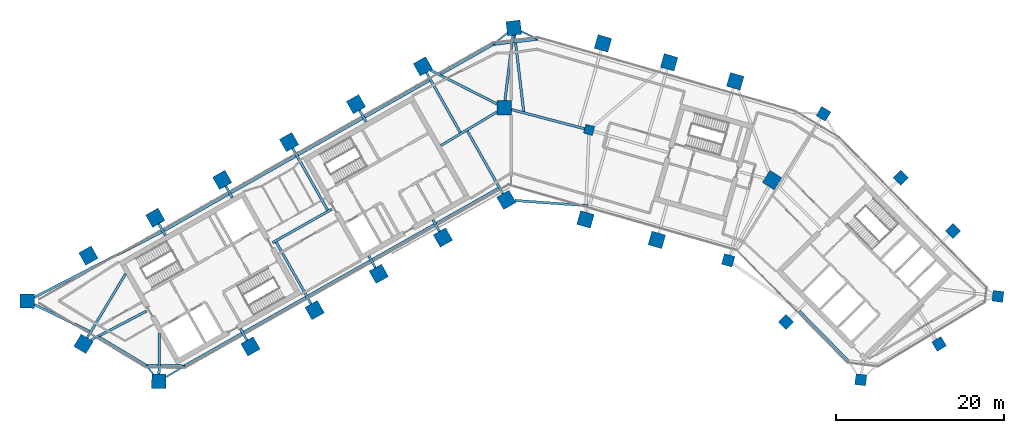
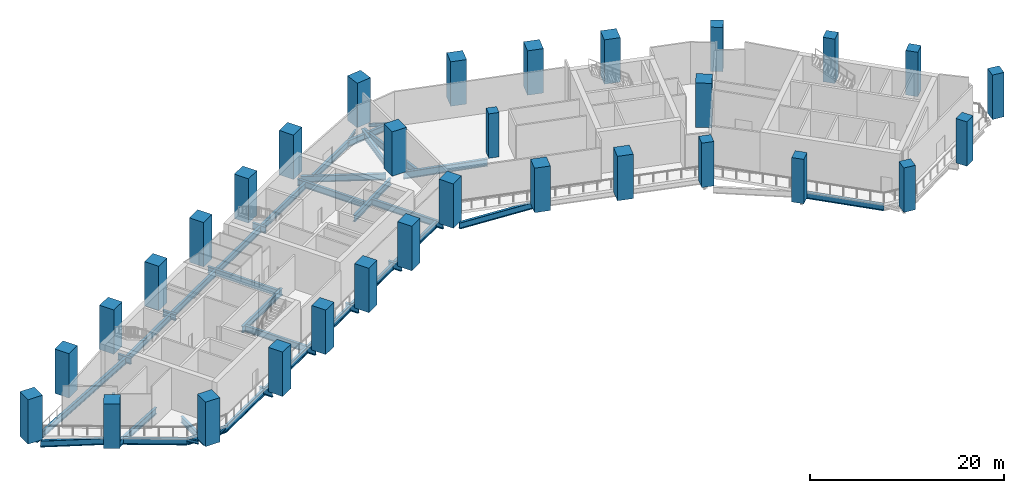
# One storey, part 1 of 11: 42 beams, 31 columns.
"""IFC4 building model written with IfcOpenShell, lengths in metres."""

from ifc_helpers import new_model, si_unit, direction, frame, origin, origin_2d, place, context, subcontext, project, spatial, rectangle, i_section, extrude, material, material_profile, profile_set, type_object, element, save


model = new_model("IFC4")

# Units and contexts
model_context = context("Model", 3, precision=1e-05, world=origin(), true_north=direction((0.0, 1.0)))
body_context = subcontext(model_context, "Body", "Model", "MODEL_VIEW")
ifc_project = project(units=[si_unit("LENGTHUNIT", "METRE"), si_unit("AREAUNIT", "SQUARE_METRE"), si_unit("VOLUMEUNIT", "CUBIC_METRE"), si_unit("PLANEANGLEUNIT", "RADIAN"), si_unit("MASSUNIT", "GRAM", prefix="KILO")], contexts=[model_context])

# Site, building, storey
site_placement = place(None, origin())
site = spatial("IfcSite", under=ifc_project, at=site_placement, CompositionType="ELEMENT")
building_placement = place(site_placement, origin())
building = spatial("IfcBuilding", under=site, at=building_placement, Name="Binnacle Exchange Tower", CompositionType="ELEMENT")
storey_placement = place(building_placement, frame((0.0, 0.0, 91.5)))
storey = spatial("IfcBuildingStorey", under=building, at=storey_placement, Name="L18", CompositionType="ELEMENT", Elevation=91.5)

# Columns
ifc_material_1 = material(Name="Concrete C60/75", Category="concrete")
ifc_material_profile_1 = material_profile(ifc_material_1, rectangle(XDim=1.10009765625, YDim=1.10009765625, at=origin_2d()), Name="Column 1100x1100 C60/75")
ifc_profile_set_1 = profile_set([ifc_material_profile_1], Name="Concrete C60/75")
column_type_1 = type_object("IfcColumnType", Name="Column 1100x1100 C60/75", PredefinedType="COLUMN", material=ifc_profile_set_1)
column_placement = place(storey_placement, frame((9.240966796875, 57.35009765625, 0.0), z_axis=(0.0, 0.0, 1.0), x_axis=(0.961261695938, -0.275637355817, 0.0)))
element("IfcColumn", 1, at=column_placement, inside=storey, type_object=column_type_1, Name="S:COL:C19:L18", PredefinedType="COLUMN", context=body_context, shape_type="SweptSolid", body=[
    extrude(rectangle(XDim=1.10009765625, YDim=1.10009765625, at=origin_2d()), origin(), (0.0, 0.0, 1.0), 5.60009765625),
])
ifc_material_2 = material(Name="Concrete C70/85", Category="concrete")
ifc_material_profile_2 = material_profile(ifc_material_2, rectangle(XDim=1.300048828125, YDim=1.300048828125, at=origin_2d()), Name="Mega column 1300x1300 C70/85")
ifc_profile_set_2 = profile_set([ifc_material_profile_2], Name="Concrete C70/85")
column_type_2 = type_object("IfcColumnType", Name="Mega column 1300x1300 C70/85", PredefinedType="COLUMN", material=ifc_profile_set_2)
for number, where, z_axis, x_axis, name in (
    (2, (37.0849609375, 59.262451171875, 0.0), (0.0, 0.0, 1.0), (-0.859406411501, 0.511293086077, 0.0), "S:COL:MC57:L18"),
    (3, (25.766845703125, 41.85986328125, 0.0), (0.0, 0.0, 1.0), (0.961261695938, -0.275637355817, 0.0), "S:COL:MC56:L18"),
    (4, (32.64111328125, 34.530029296875, 0.0), (0.0, 0.0, 1.0), (0.7009092643, -0.713250449154, 0.0), "S:COL:MC59:L18"),
    (5, (41.519775390625, 27.6748046875, 0.0), (0.0, 0.0, 1.0), (0.99200494968, -0.126198969136, 0.0), "S:COL:MC61:L18"),
    (6, (50.81201171875, 31.930908203125, 0.0), (0.0, 0.0, 1.0), (0.857167300702, 0.51503807491, 0.0), "S:COL:MC63:L18"),
    (7, (57.799072265625, 37.5810546875, 0.0), (0.0, 0.0, 1.0), (0.126198969136, 0.99200494968, 0.0), "S:COL:MC62:L18"),
    (8, (52.466796875, 45.33935546875, 0.0), (0.0, 0.0, 1.0), (-0.7009092643, 0.713250449154, 0.0), "S:COL:MC60:L18"),
    (9, (46.248291015625, 51.667236328125, 0.0), (0.0, 0.0, 1.0), (-0.7009092643, 0.713250449154, 0.0), "S:COL:MC58:L18"),
):
    element("IfcColumn", number, at=place(storey_placement, frame(where, z_axis=z_axis, x_axis=x_axis)), inside=storey, type_object=column_type_2, Name=name, PredefinedType="COLUMN", context=body_context, shape_type="SweptSolid", body=[
        extrude(rectangle(XDim=1.300048828125, YDim=1.300048828125, at=origin_2d()), origin(), (0.0, 0.0, 1.0), 5.60009765625),
    ])
ifc_material_profile_3 = material_profile(ifc_material_2, rectangle(XDim=1.699951171875, YDim=1.699951171875, at=origin_2d()), Name="Mega column 1700x1700 C70/85")
ifc_profile_set_3 = profile_set([ifc_material_profile_3], Name="Concrete C70/85")
column_type_3 = type_object("IfcColumnType", Name="Mega column 1700x1700 C70/85", PredefinedType="COLUMN", material=ifc_profile_set_3)
for number, where, z_axis, x_axis, name in (
    (10, (26.602783203125, 63.12353515625, 0.0), (0.0, 0.0, 1.0), (-0.961261695938, 0.275637355817, 0.0), "S:COL:MC52:L18"),
    (11, (18.746337890625, 65.376220703125, 0.0), (0.0, 0.0, 1.0), (-0.961261695938, 0.275637355817, 0.0), "S:COL:MC50:L18"),
    (12, (10.889892578125, 67.62890625, 0.0), (0.0, 0.0, 1.0), (-0.961261695938, 0.275637355817, 0.0), "S:COL:MC48:L18"),
    (13, (0.300048828125, 69.464111328125, 0.0), (0.0, 0.0, 1.0), (-0.993068456955, -0.117537397458, 0.0), "S:COL:MC47:L18"),
    (14, (-10.4951171875, 64.901611328125, 0.0), (0.0, 0.0, 1.0), (-0.87035569594, -0.492423560103, 0.0), "S:COL:MC38:L18"),
    (15, (-18.44140625, 60.406005859375, 0.0), (0.0, 0.0, 1.0), (-0.87035569594, -0.492423560103, 0.0), "S:COL:MC29:L18"),
    (16, (-26.3876953125, 55.91015625, 0.0), (0.0, 0.0, 1.0), (-0.87035569594, -0.492423560103, 0.0), "S:COL:MC21:L18"),
    (17, (-34.333740234375, 51.414306640625, 0.0), (0.0, 0.0, 1.0), (-0.87035569594, -0.492423560103, 0.0), "S:COL:MC13:L18"),
    (18, (-42.280029296875, 46.918701171875, 0.0), (0.0, 0.0, 1.0), (-0.87035569594, -0.492423560103, 0.0), "S:COL:MC08:L18"),
    (19, (-50.226318359375, 42.4228515625, 0.0), (0.0, 0.0, 1.0), (-0.87035569594, -0.492423560103, 0.0), "S:COL:MC04:L18"),
    (20, (-57.492919921875, 37.02734375, 0.0), (0.0, 0.0, 1.0), (-0.013089595571, -0.999914327574, 0.0), "S:COL:MC02:L18"),
    (21, (-50.81201171875, 31.930908203125, 0.0), (0.0, 0.0, 1.0), (0.857167300702, -0.51503807491, 0.0), "S:COL:MC01:L18"),
    (22, (-41.857666015625, 27.494873046875, 0.0), (0.0, 0.0, 1.0), (0.999914327574, -0.013089595571, 0.0), "S:COL:MC03:L18"),
    (23, (-30.9755859375, 31.63525390625, 0.0), (0.0, 0.0, 1.0), (0.87035569594, 0.492423560103, 0.0), "S:COL:MC07:L18"),
    (24, (-23.35595703125, 35.9462890625, 0.0), (0.0, 0.0, 1.0), (0.87035569594, 0.492423560103, 0.0), "S:COL:MC16:L18"),
    (25, (-15.736328125, 40.257080078125, 0.0), (0.0, 0.0, 1.0), (0.87035569594, 0.492423560103, 0.0), "S:COL:MC24:L18"),
    (26, (-8.116943359375, 44.568115234375, 0.0), (0.0, 0.0, 1.0), (0.87035569594, 0.492423560103, 0.0), "S:COL:MC35:L18"),
    (27, (-0.5908203125, 49.04443359375, 0.0), (0.0, 0.0, 1.0), (0.87035569594, 0.492423560103, 0.0), "S:COL:MC46:L18"),
    (28, (8.8095703125, 46.722412109375, 0.0), (0.0, 0.0, 1.0), (0.961261695938, -0.275637355817, 0.0), "S:COL:MC49:L18"),
    (29, (17.2880859375, 44.291015625, 0.0), (0.0, 0.0, 1.0), (0.961261695938, -0.275637355817, 0.0), "S:COL:MC51:L18"),
    (30, (30.989501953125, 51.38623046875, 0.0), (0.0, 0.0, 1.0), (0.529919264233, 0.848048096156, 0.0), "S:COL:MC55:L18"),
    (31, (-0.85009765625, 60.0, 0.0), (0.0, 0.0, 1.0), (0.0, 1.0, 0.0), "S:COL:MC45:L18"),
):
    element("IfcColumn", number, at=place(storey_placement, frame(where, z_axis=z_axis, x_axis=x_axis)), inside=storey, type_object=column_type_3, Name=name, PredefinedType="COLUMN", context=body_context, shape_type="SweptSolid", body=[
        extrude(rectangle(XDim=1.699951171875, YDim=1.699951171875, at=origin_2d()), origin(), (0.0, 0.0, 1.0), 5.60009765625),
    ])

# Beams
ifc_material_3 = material(Name="Steel S355 (SHN355)", Category="steel")
ifc_material_profile_4 = material_profile(ifc_material_3, i_section(OverallWidth=0.300048828125, OverallDepth=0.800048828125, WebThickness=0.013916015625, FlangeThickness=0.02587890625, FilletRadius=0.028076171875, at=origin_2d()), Name="H 800x300x14x26")
ifc_profile_set_4 = profile_set([ifc_material_profile_4], Name="Steel S355 (SHN355)")
beam_type_1 = type_object("IfcBeamType", Name="Edge girder H 800x300x14x26 Steel S355 (SHN355)", PredefinedType="SPANDREL", material=ifc_profile_set_4)
beam_1_placement = place(storey_placement, frame((-56.63720703125, 37.46728515625, -0.75), z_axis=(0.889439328873, 0.457053257569, 0.0), x_axis=(-0.457053257569, 0.889439328873, 0.0)))
element("IfcBeam", 32, at=beam_1_placement, inside=storey, type_object=beam_type_1, Name="S:BM:edge:L18:015", PredefinedType="SPANDREL", context=body_context, shape_type="SweptSolid", body=[
    extrude(i_section(OverallWidth=0.300048828125, OverallDepth=0.800048828125, WebThickness=0.013916015625, FlangeThickness=0.02587890625, FilletRadius=0.028076171875, at=origin_2d()), origin(), (0.0, 0.0, 1.0), 17.013671875),
])
beam_2_placement = place(storey_placement, frame((-50.091064453125, 33.422607421875, -0.75), z_axis=(-0.899051365791, 0.437843170175, 0.0), x_axis=(-0.437843170175, -0.899051365791, 0.0)))
element("IfcBeam", 33, at=beam_2_placement, inside=storey, type_object=beam_type_1, Name="S:BM:edge:L18:016", PredefinedType="SPANDREL", context=body_context, shape_type="SweptSolid", body=[
    extrude(i_section(OverallWidth=0.300048828125, OverallDepth=0.800048828125, WebThickness=0.013916015625, FlangeThickness=0.02587890625, FilletRadius=0.028076171875, at=origin_2d()), origin(), (0.0, 0.0, 1.0), 7.29345703125),
])
beam_3_placement = place(storey_placement, frame((-43.336669921875, 29.364013671875, -0.75), z_axis=(-0.857145124405, 0.515074980667, 0.0), x_axis=(-0.515074980667, -0.857145124405, 0.0)))
element("IfcBeam", 34, at=beam_3_placement, inside=storey, type_object=beam_type_1, Name="S:BM:edge:L18:017", PredefinedType="SPANDREL", context=body_context, shape_type="SweptSolid", body=[
    extrude(i_section(OverallWidth=0.300048828125, OverallDepth=0.800048828125, WebThickness=0.013916015625, FlangeThickness=0.02587890625, FilletRadius=0.028076171875, at=origin_2d()), origin(), (0.0, 0.0, 1.0), 6.569091796875),
])
beam_4_placement = place(storey_placement, frame((-41.983642578125, 29.346435546875, -0.75), z_axis=(-0.99991561855, 0.012990603489, 0.0), x_axis=(-0.012990603489, -0.99991561855, 0.0)))
element("IfcBeam", 35, at=beam_4_placement, inside=storey, type_object=beam_type_1, Name="S:BM:edge:L18:018", PredefinedType="SPANDREL", context=body_context, shape_type="SweptSolid", body=[
    extrude(i_section(OverallWidth=0.300048828125, OverallDepth=0.800048828125, WebThickness=0.013916015625, FlangeThickness=0.02587890625, FilletRadius=0.028076171875, at=origin_2d()), origin(), (0.0, 0.0, 1.0), 1.35302734375),
])
beam_5_placement = place(storey_placement, frame((-41.243408203125, 45.39111328125, -0.75), z_axis=(0.870355237169, 0.492424370977, 0.0), x_axis=(-0.492424370977, 0.870355237169, 0.0)))
element("IfcBeam", 36, at=beam_5_placement, inside=storey, type_object=beam_type_1, Name="S:BM:edge:L18:019", PredefinedType="SPANDREL", context=body_context, shape_type="SweptSolid", body=[
    extrude(i_section(OverallWidth=0.300048828125, OverallDepth=0.800048828125, WebThickness=0.013916015625, FlangeThickness=0.02587890625, FilletRadius=0.028076171875, at=origin_2d()), origin(), (0.0, 0.0, 1.0), 8.830078125),
])
beam_6_placement = place(storey_placement, frame((-38.830810546875, 29.30517578125, -0.75), z_axis=(-0.999914303068, 0.013091467428, 0.0), x_axis=(-0.013091467428, -0.999914303068, 0.0)))
element("IfcBeam", 37, at=beam_6_placement, inside=storey, type_object=beam_type_1, Name="S:BM:edge:L18:020", PredefinedType="SPANDREL", context=body_context, shape_type="SweptSolid", body=[
    extrude(i_section(OverallWidth=0.300048828125, OverallDepth=0.800048828125, WebThickness=0.013916015625, FlangeThickness=0.02587890625, FilletRadius=0.028076171875, at=origin_2d()), origin(), (0.0, 0.0, 1.0), 2.853271484375),
])
beam_7_placement = place(storey_placement, frame((-33.297119140625, 49.886962890625, -0.75), z_axis=(0.870355237169, 0.492424370977, 0.0), x_axis=(-0.492424370977, 0.870355237169, 0.0)))
element("IfcBeam", 38, at=beam_7_placement, inside=storey, type_object=beam_type_1, Name="S:BM:edge:L18:021", PredefinedType="SPANDREL", context=body_context, shape_type="SweptSolid", body=[
    extrude(i_section(OverallWidth=0.300048828125, OverallDepth=0.800048828125, WebThickness=0.013916015625, FlangeThickness=0.02587890625, FilletRadius=0.028076171875, at=origin_2d()), origin(), (0.0, 0.0, 1.0), 8.830078125),
])
beam_8_placement = place(storey_placement, frame((-32.0126953125, 33.16259765625, -0.75), z_axis=(-0.870360188898, -0.492415618742, 0.0), x_axis=(0.492415618742, -0.870360188898, 0.0)))
element("IfcBeam", 39, at=beam_8_placement, inside=storey, type_object=beam_type_1, Name="S:BM:edge:L18:022", PredefinedType="SPANDREL", context=body_context, shape_type="SweptSolid", body=[
    extrude(i_section(OverallWidth=0.300048828125, OverallDepth=0.800048828125, WebThickness=0.013916015625, FlangeThickness=0.02587890625, FilletRadius=0.028076171875, at=origin_2d()), origin(), (0.0, 0.0, 1.0), 7.833740234375),
])
beam_9_placement = place(storey_placement, frame((-25.350830078125, 54.3828125, -0.75), z_axis=(0.870367086897, 0.492403426111, 0.0), x_axis=(-0.492403426111, 0.870367086897, 0.0)))
element("IfcBeam", 40, at=beam_9_placement, inside=storey, type_object=beam_type_1, Name="S:BM:edge:L18:023", PredefinedType="SPANDREL", context=body_context, shape_type="SweptSolid", body=[
    extrude(i_section(OverallWidth=0.300048828125, OverallDepth=0.800048828125, WebThickness=0.013916015625, FlangeThickness=0.02587890625, FilletRadius=0.028076171875, at=origin_2d()), origin(), (0.0, 0.0, 1.0), 8.829833984375),
])
beam_10_placement = place(storey_placement, frame((-24.392578125, 37.473876953125, -0.75), z_axis=(-0.870349793829, -0.492433991904, 0.0), x_axis=(0.492433991904, -0.870349793829, 0.0)))
element("IfcBeam", 41, at=beam_10_placement, inside=storey, type_object=beam_type_1, Name="S:BM:edge:L18:024", PredefinedType="SPANDREL", context=body_context, shape_type="SweptSolid", body=[
    extrude(i_section(OverallWidth=0.300048828125, OverallDepth=0.800048828125, WebThickness=0.013916015625, FlangeThickness=0.02587890625, FilletRadius=0.028076171875, at=origin_2d()), origin(), (0.0, 0.0, 1.0), 8.455078125),
])
beam_11_placement = place(storey_placement, frame((-17.404296875, 58.87841796875, -0.75), z_axis=(0.870352119126, 0.492429882046, 0.0), x_axis=(-0.492429882046, 0.870352119126, 0.0)))
element("IfcBeam", 42, at=beam_11_placement, inside=storey, type_object=beam_type_1, Name="S:BM:edge:L18:025", PredefinedType="SPANDREL", context=body_context, shape_type="SweptSolid", body=[
    extrude(i_section(OverallWidth=0.300048828125, OverallDepth=0.800048828125, WebThickness=0.013916015625, FlangeThickness=0.02587890625, FilletRadius=0.028076171875, at=origin_2d()), origin(), (0.0, 0.0, 1.0), 8.8291015625),
])
beam_12_placement = place(storey_placement, frame((-16.772705078125, 41.784912109375, -0.75), z_axis=(-0.870362169255, -0.492412118383, 0.0), x_axis=(0.492412118383, -0.870362169255, 0.0)))
element("IfcBeam", 43, at=beam_12_placement, inside=storey, type_object=beam_type_1, Name="S:BM:edge:L18:026", PredefinedType="SPANDREL", context=body_context, shape_type="SweptSolid", body=[
    extrude(i_section(OverallWidth=0.300048828125, OverallDepth=0.800048828125, WebThickness=0.013916015625, FlangeThickness=0.02587890625, FilletRadius=0.028076171875, at=origin_2d()), origin(), (0.0, 0.0, 1.0), 8.455078125),
])
beam_13_placement = place(storey_placement, frame((-9.153564453125, 46.095703125, -0.75), z_axis=(-0.87035353945, -0.492427371668, 0.0), x_axis=(0.492427371668, -0.87035353945, 0.0)))
element("IfcBeam", 44, at=beam_13_placement, inside=storey, type_object=beam_type_1, Name="S:BM:edge:L18:027", PredefinedType="SPANDREL", context=body_context, shape_type="SweptSolid", body=[
    extrude(i_section(OverallWidth=0.300048828125, OverallDepth=0.800048828125, WebThickness=0.013916015625, FlangeThickness=0.02587890625, FilletRadius=0.028076171875, at=origin_2d()), origin(), (0.0, 0.0, 1.0), 8.4541015625),
])
beam_14_placement = place(storey_placement, frame((-8.396240234375, 63.97509765625, -0.75), z_axis=(0.870355215892, 0.492424408585, 0.0), x_axis=(-0.492424408585, 0.870355215892, 0.0)))
element("IfcBeam", 45, at=beam_14_placement, inside=storey, type_object=beam_type_1, Name="S:BM:edge:L18:028", PredefinedType="SPANDREL", context=body_context, shape_type="SweptSolid", body=[
    extrude(i_section(OverallWidth=0.300048828125, OverallDepth=0.800048828125, WebThickness=0.013916015625, FlangeThickness=0.02587890625, FilletRadius=0.028076171875, at=origin_2d()), origin(), (0.0, 0.0, 1.0), 7.18603515625),
])
beam_15_placement = place(storey_placement, frame((-2.141845703125, 67.513671875, -0.75), z_axis=(0.99307431808, 0.117487866483, 0.0), x_axis=(-0.117487866483, 0.99307431808, 0.0)))
element("IfcBeam", 46, at=beam_15_placement, inside=storey, type_object=beam_type_1, Name="S:BM:edge:L18:029", PredefinedType="SPANDREL", context=body_context, shape_type="SweptSolid", body=[
    extrude(i_section(OverallWidth=0.300048828125, OverallDepth=0.800048828125, WebThickness=0.013916015625, FlangeThickness=0.02587890625, FilletRadius=0.028076171875, at=origin_2d()), origin(), (0.0, 0.0, 1.0), 2.10302734375),
])
beam_16_placement = place(storey_placement, frame((-1.53369140625, 50.40673828125, -0.75), z_axis=(-0.870362169255, -0.492412118383, 0.0), x_axis=(0.492412118383, -0.870362169255, 0.0)))
element("IfcBeam", 47, at=beam_16_placement, inside=storey, type_object=beam_type_1, Name="S:BM:edge:L18:030", PredefinedType="SPANDREL", context=body_context, shape_type="SweptSolid", body=[
    extrude(i_section(OverallWidth=0.300048828125, OverallDepth=0.800048828125, WebThickness=0.013916015625, FlangeThickness=0.02587890625, FilletRadius=0.028076171875, at=origin_2d()), origin(), (0.0, 0.0, 1.0), 8.455078125),
])
beam_17_placement = place(storey_placement, frame((0.244384765625, 67.796142578125, -0.75), z_axis=(0.993067190116, 0.117548100429, 0.0), x_axis=(-0.117548100429, 0.993067190116, 0.0)))
element("IfcBeam", 48, at=beam_17_placement, inside=storey, type_object=beam_type_1, Name="S:BM:edge:L18:031", PredefinedType="SPANDREL", context=body_context, shape_type="SweptSolid", body=[
    extrude(i_section(OverallWidth=0.300048828125, OverallDepth=0.800048828125, WebThickness=0.013916015625, FlangeThickness=0.02587890625, FilletRadius=0.028076171875, at=origin_2d()), origin(), (0.0, 0.0, 1.0), 2.90576171875),
])
beam_18_placement = place(storey_placement, frame((9.119873046875, 48.349853515625, -0.75), z_axis=(-0.997451300013, 0.071350571846, 0.0), x_axis=(-0.071350571846, -0.997451300013, 0.0)))
element("IfcBeam", 49, at=beam_18_placement, inside=storey, type_object=beam_type_1, Name="S:BM:edge:L18:033", PredefinedType="SPANDREL", context=body_context, shape_type="SweptSolid", body=[
    extrude(i_section(OverallWidth=0.300048828125, OverallDepth=0.800048828125, WebThickness=0.013916015625, FlangeThickness=0.02587890625, FilletRadius=0.028076171875, at=origin_2d()), origin(), (0.0, 0.0, 1.0), 8.715087890625),
])
beam_19_placement = place(storey_placement, frame((40.031005859375, 29.920654296875, -0.75), z_axis=(-0.700915564587, 0.713244257825, 0.0), x_axis=(-0.713244257825, -0.700915564587, 0.0)))
element("IfcBeam", 50, at=beam_19_placement, inside=storey, type_object=beam_type_1, Name="S:BM:edge:L18:043", PredefinedType="SPANDREL", context=body_context, shape_type="SweptSolid", body=[
    extrude(i_section(OverallWidth=0.300048828125, OverallDepth=0.800048828125, WebThickness=0.013916015625, FlangeThickness=0.02587890625, FilletRadius=0.028076171875, at=origin_2d()), origin(), (0.0, 0.0, 1.0), 8.317138671875),
])
ifc_material_profile_5 = material_profile(ifc_material_3, i_section(OverallWidth=0.199951171875, OverallDepth=0.39990234375, WebThickness=0.008056640625, FlangeThickness=0.012939453125, FilletRadius=0.01611328125, at=origin_2d()), Name="H 400x200x8x13")
ifc_profile_set_5 = profile_set([ifc_material_profile_5], Name="Steel S355 (SHN355)")
beam_type_2 = type_object("IfcBeamType", Name="Floor beam H 400x200x8x13 Steel S355 (SHN355)", PredefinedType="BEAM", material=ifc_profile_set_5)
beam_20_placement = place(storey_placement, frame((-42.537109375, 28.353759765625, -0.550048828125), z_axis=(-0.62059615807, 0.784130351784, 0.0), x_axis=(-0.784130351784, -0.62059615807, 0.0)))
element("IfcBeam", 51, at=beam_20_placement, inside=storey, type_object=beam_type_2, Name="S:BM:cross:L18:051", PredefinedType="BEAM", context=body_context, shape_type="SweptSolid", body=[
    extrude(i_section(OverallWidth=0.199951171875, OverallDepth=0.39990234375, WebThickness=0.008056640625, FlangeThickness=0.012939453125, FilletRadius=0.01611328125, at=origin_2d()), origin(), (0.0, 0.0, 1.0), 1.288330078125),
])
beam_21_placement = place(storey_placement, frame((-41.0009765625, 28.007080078125, -0.550048828125), z_axis=(0.858190668609, 0.513331059174, 0.0), x_axis=(-0.513331059174, 0.858190668609, 0.0)))
element("IfcBeam", 52, at=beam_21_placement, inside=storey, type_object=beam_type_2, Name="S:BM:cross:L18:054", PredefinedType="BEAM", context=body_context, shape_type="SweptSolid", body=[
    extrude(i_section(OverallWidth=0.199951171875, OverallDepth=0.39990234375, WebThickness=0.008056640625, FlangeThickness=0.012939453125, FilletRadius=0.01611328125, at=origin_2d()), origin(), (0.0, 0.0, 1.0), 2.52880859375),
])
for number, where, z_axis, x_axis, name in (
    (53, (-0.48193359375, 68.839599609375, -0.550048828125), (-0.781328270505, -0.624120287853, 0.0), (0.624120287853, -0.781328270505, 0.0), "S:BM:cross:L18:064"),
    (54, (1.206298828125, 69.039306640625, -0.550048828125), (0.905471357097, -0.424407376794, 0.0), (0.424407376794, 0.905471357097, 0.0), "S:BM:cross:L18:066"),
):
    element("IfcBeam", number, at=place(storey_placement, frame(where, z_axis=z_axis, x_axis=x_axis)), inside=storey, type_object=beam_type_2, Name=name, PredefinedType="BEAM", context=body_context, shape_type="SweptSolid", body=[
        extrude(i_section(OverallWidth=0.199951171875, OverallDepth=0.39990234375, WebThickness=0.008056640625, FlangeThickness=0.012939453125, FilletRadius=0.01611328125, at=origin_2d()), origin(), (0.0, 0.0, 1.0), 2.12451171875),
    ])
ifc_material_profile_6 = material_profile(ifc_material_3, i_section(OverallWidth=0.300048828125, OverallDepth=0.800048828125, WebThickness=0.013916015625, FlangeThickness=0.02587890625, FilletRadius=0.028076171875, at=origin_2d()), Name="H 800x300x14x26")
ifc_profile_set_6 = profile_set([ifc_material_profile_6], Name="Steel S355 (SHN355)")
beam_type_3 = type_object("IfcBeamType", Name="Floor beam H 800x300x14x26 Steel S355 (SHN355)", PredefinedType="BEAM", material=ifc_profile_set_6)
beam_22_placement = place(storey_placement, frame((-41.861328125, 46.178955078125, -0.75), z_axis=(0.492366981934, -0.870387703901, 0.0), x_axis=(0.870387703901, 0.492366981934, 0.0)))
element("IfcBeam", 55, at=beam_22_placement, inside=storey, type_object=beam_type_3, Name="S:BM:cross:L18:052", PredefinedType="BEAM", context=body_context, shape_type="SweptSolid", body=[
    extrude(i_section(OverallWidth=0.300048828125, OverallDepth=0.800048828125, WebThickness=0.013916015625, FlangeThickness=0.02587890625, FilletRadius=0.028076171875, at=origin_2d()), origin(), (0.0, 0.0, 1.0), 1.584228515625),
])
beam_23_placement = place(storey_placement, frame((-41.8466796875, 28.3447265625, -0.75), z_axis=(0.013120628196, 0.999913920853, 0.0), x_axis=(-0.999913920853, 0.013120628196, 0.0)))
element("IfcBeam", 56, at=beam_23_placement, inside=storey, type_object=beam_type_3, Name="S:BM:cross:L18:053", PredefinedType="BEAM", context=body_context, shape_type="SweptSolid", body=[
    extrude(i_section(OverallWidth=0.300048828125, OverallDepth=0.800048828125, WebThickness=0.013916015625, FlangeThickness=0.02587890625, FilletRadius=0.028076171875, at=origin_2d()), origin(), (0.0, 0.0, 1.0), 4.80078125),
])
beam_24_placement = place(storey_placement, frame((-33.915283203125, 50.674560546875, -0.75), z_axis=(0.492483715062, -0.870321659158, 0.0), x_axis=(0.870321659158, 0.492483715062, 0.0)))
element("IfcBeam", 57, at=beam_24_placement, inside=storey, type_object=beam_type_3, Name="S:BM:cross:L18:055", PredefinedType="BEAM", context=body_context, shape_type="SweptSolid", body=[
    extrude(i_section(OverallWidth=0.300048828125, OverallDepth=0.800048828125, WebThickness=0.013916015625, FlangeThickness=0.02587890625, FilletRadius=0.028076171875, at=origin_2d()), origin(), (0.0, 0.0, 1.0), 1.58447265625),
])
for number, where, z_axis, x_axis, name in (
    (58, (-31.394287109375, 32.375, -0.75), (-0.492366981934, 0.870387703901, 0.0), (-0.870387703901, -0.492366981934, 0.0), "S:BM:cross:L18:056"),
    (59, (-18.022705078125, 59.666259765625, -0.75), (0.492366981934, -0.870387703901, 0.0), (0.870387703901, 0.492366981934, 0.0), "S:BM:cross:L18:059"),
    (60, (-16.155029296875, 40.9970703125, -0.75), (-0.492366981934, 0.870387703901, 0.0), (-0.870387703901, -0.492366981934, 0.0), "S:BM:cross:L18:060"),
):
    element("IfcBeam", number, at=place(storey_placement, frame(where, z_axis=z_axis, x_axis=x_axis)), inside=storey, type_object=beam_type_3, Name=name, PredefinedType="BEAM", context=body_context, shape_type="SweptSolid", body=[
        extrude(i_section(OverallWidth=0.300048828125, OverallDepth=0.800048828125, WebThickness=0.013916015625, FlangeThickness=0.02587890625, FilletRadius=0.028076171875, at=origin_2d()), origin(), (0.0, 0.0, 1.0), 1.584228515625),
    ])
beam_25_placement = place(storey_placement, frame((-8.535400390625, 45.307861328125, -0.75), z_axis=(-0.492483715062, 0.870321659158, 0.0), x_axis=(-0.870321659158, -0.492483715062, 0.0)))
element("IfcBeam", 61, at=beam_25_placement, inside=storey, type_object=beam_type_3, Name="S:BM:cross:L18:062", PredefinedType="BEAM", context=body_context, shape_type="SweptSolid", body=[
    extrude(i_section(OverallWidth=0.300048828125, OverallDepth=0.800048828125, WebThickness=0.013916015625, FlangeThickness=0.02587890625, FilletRadius=0.028076171875, at=origin_2d()), origin(), (0.0, 0.0, 1.0), 1.58447265625),
])
ifc_material_profile_7 = material_profile(ifc_material_3, i_section(OverallWidth=0.302001953125, OverallDepth=0.80810546875, WebThickness=0.01611328125, FlangeThickness=0.030029296875, FilletRadius=0.028076171875, at=origin_2d()), Name="H 808x302x16x30")
ifc_profile_set_7 = profile_set([ifc_material_profile_7], Name="Steel S355 (SHN355)")
beam_type_4 = type_object("IfcBeamType", Name="Floor beam H 808x302x16x30 Steel S355 (SHN355)", PredefinedType="BEAM", material=ifc_profile_set_7)
beam_26_placement = place(storey_placement, frame((-50.374267578125, 32.659423828125, -0.75390625), z_axis=(0.515042389499, 0.857164708221, 0.0), x_axis=(-0.857164708221, 0.515042389499, 0.0)))
element("IfcBeam", 62, at=beam_26_placement, inside=storey, type_object=beam_type_4, Name="S:BM:cross:L18:050", PredefinedType="BEAM", context=body_context, shape_type="SweptSolid", body=[
    extrude(i_section(OverallWidth=0.302001953125, OverallDepth=0.80810546875, WebThickness=0.01611328125, FlangeThickness=0.030029296875, FilletRadius=0.028076171875, at=origin_2d()), origin(), (0.0, 0.0, 1.0), 8.865234375),
])
for number, where, z_axis, x_axis, name in (
    (63, (-25.968994140625, 55.17041015625, -0.75390625), (0.492409177884, -0.870363832851, 0.0), (0.870363832851, 0.492409177884, 0.0), "S:BM:cross:L18:057"),
    (64, (-23.774658203125, 36.68603515625, -0.75390625), (-0.492409177884, 0.870363832851, 0.0), (-0.870363832851, -0.492409177884, 0.0), "S:BM:cross:L18:058"),
):
    element("IfcBeam", number, at=place(storey_placement, frame(where, z_axis=z_axis, x_axis=x_axis)), inside=storey, type_object=beam_type_4, Name=name, PredefinedType="BEAM", context=body_context, shape_type="SweptSolid", body=[
        extrude(i_section(OverallWidth=0.302001953125, OverallDepth=0.80810546875, WebThickness=0.01611328125, FlangeThickness=0.030029296875, FilletRadius=0.028076171875, at=origin_2d()), origin(), (0.0, 0.0, 1.0), 8.43408203125),
    ])
beam_27_placement = place(storey_placement, frame((-10.076416015625, 64.161865234375, -0.75390625), z_axis=(0.492410737926, -0.870362950254, 0.0), x_axis=(0.870362950254, 0.492410737926, 0.0)))
element("IfcBeam", 65, at=beam_27_placement, inside=storey, type_object=beam_type_4, Name="S:BM:cross:L18:061", PredefinedType="BEAM", context=body_context, shape_type="SweptSolid", body=[
    extrude(i_section(OverallWidth=0.302001953125, OverallDepth=0.80810546875, WebThickness=0.01611328125, FlangeThickness=0.030029296875, FilletRadius=0.028076171875, at=origin_2d()), origin(), (0.0, 0.0, 1.0), 8.16943359375),
])
beam_28_placement = place(storey_placement, frame((-1.009521484375, 49.7841796875, -0.75390625), z_axis=(-0.492410889053, 0.870362864753, 0.0), x_axis=(-0.870362864753, -0.492410889053, 0.0)))
element("IfcBeam", 66, at=beam_28_placement, inside=storey, type_object=beam_type_4, Name="S:BM:cross:L18:063", PredefinedType="BEAM", context=body_context, shape_type="SweptSolid", body=[
    extrude(i_section(OverallWidth=0.302001953125, OverallDepth=0.80810546875, WebThickness=0.01611328125, FlangeThickness=0.030029296875, FilletRadius=0.028076171875, at=origin_2d()), origin(), (0.0, 0.0, 1.0), 8.52978515625),
])
ifc_material_profile_8 = material_profile(ifc_material_3, i_section(OverallWidth=0.300048828125, OverallDepth=0.89990234375, WebThickness=0.01611328125, FlangeThickness=0.028076171875, FilletRadius=0.028076171875, at=origin_2d()), Name="H 900x300x16x28")
ifc_profile_set_8 = profile_set([ifc_material_profile_8], Name="Steel S355 (SHN355)")
beam_type_5 = type_object("IfcBeamType", Name="Floor beam H 900x300x16x28 Steel S355 (SHN355)", PredefinedType="BEAM", material=ifc_profile_set_8)
beam_29_placement = place(storey_placement, frame((0.39990234375, 68.6201171875, -0.800048828125), z_axis=(0.117562643201, -0.993065468599, 0.0), x_axis=(0.993065468599, 0.117562643201, 0.0)))
element("IfcBeam", 67, at=beam_29_placement, inside=storey, type_object=beam_type_5, Name="S:BM:cross:L18:065", PredefinedType="BEAM", context=body_context, shape_type="SweptSolid", body=[
    extrude(i_section(OverallWidth=0.300048828125, OverallDepth=0.89990234375, WebThickness=0.01611328125, FlangeThickness=0.028076171875, FilletRadius=0.028076171875, at=origin_2d()), origin(), (0.0, 0.0, 1.0), 9.14990234375),
])
ifc_material_profile_9 = material_profile(ifc_material_3, i_section(OverallWidth=0.300048828125, OverallDepth=0.800048828125, WebThickness=0.013916015625, FlangeThickness=0.02587890625, FilletRadius=0.028076171875, at=origin_2d()), Name="H 800x300x14x26")
ifc_profile_set_9 = profile_set([ifc_material_profile_9], Name="Steel S355 (SHN355)")
beam_type_6 = type_object("IfcBeamType", Name="Spine girder H 800x300x14x26 Steel S355 (SHN355)", PredefinedType="BEAM", material=ifc_profile_set_9)
beam_30_placement = place(storey_placement, frame((-49.927734375, 32.391357421875, -0.75), z_axis=(0.886979965344, 0.461807904954, 0.0), x_axis=(-0.461807904954, 0.886979965344, 0.0)))
element("IfcBeam", 68, at=beam_30_placement, inside=storey, type_object=beam_type_6, Name="S:BM:spine:L18:001", PredefinedType="BEAM", context=body_context, shape_type="SweptSolid", body=[
    extrude(i_section(OverallWidth=0.300048828125, OverallDepth=0.800048828125, WebThickness=0.013916015625, FlangeThickness=0.02587890625, FilletRadius=0.028076171875, at=origin_2d()), origin(), (0.0, 0.0, 1.0), 7.463623046875),
])
beam_31_placement = place(storey_placement, frame((-1.699951171875, 60.431884765625, -0.75), z_axis=(-0.891471296315, 0.45307717648, 0.0), x_axis=(-0.45307717648, -0.891471296315, 0.0)))
element("IfcBeam", 69, at=beam_31_placement, inside=storey, type_object=beam_type_6, Name="S:BM:spine:L18:004", PredefinedType="BEAM", context=body_context, shape_type="SweptSolid", body=[
    extrude(i_section(OverallWidth=0.300048828125, OverallDepth=0.800048828125, WebThickness=0.013916015625, FlangeThickness=0.02587890625, FilletRadius=0.028076171875, at=origin_2d()), origin(), (0.0, 0.0, 1.0), 8.845703125),
])
beam_32_placement = place(storey_placement, frame((-0.74658203125, 60.85009765625, -0.75), z_axis=(0.120621974738, 0.992698513755, 0.0), x_axis=(-0.992698513755, 0.120621974738, 0.0)))
element("IfcBeam", 70, at=beam_32_placement, inside=storey, type_object=beam_type_6, Name="S:BM:spine:L18:005", PredefinedType="BEAM", context=body_context, shape_type="SweptSolid", body=[
    extrude(i_section(OverallWidth=0.300048828125, OverallDepth=0.800048828125, WebThickness=0.013916015625, FlangeThickness=0.02587890625, FilletRadius=0.028076171875, at=origin_2d()), origin(), (0.0, 0.0, 1.0), 7.802490234375),
])
ifc_material_profile_10 = material_profile(ifc_material_3, i_section(OverallWidth=0.302001953125, OverallDepth=0.80810546875, WebThickness=0.01611328125, FlangeThickness=0.030029296875, FilletRadius=0.028076171875, at=origin_2d()), Name="H 808x302x16x30")
ifc_profile_set_10 = profile_set([ifc_material_profile_10], Name="Steel S355 (SHN355)")
beam_type_7 = type_object("IfcBeamType", Name="Spine girder H 808x302x16x30 Steel S355 (SHN355)", PredefinedType="BEAM", material=ifc_profile_set_10)
beam_33_placement = place(storey_placement, frame((-28.365478515625, 43.951416015625, -0.75390625), z_axis=(0.870350319004, 0.492433063684, 0.0), x_axis=(-0.492433063684, 0.870350319004, 0.0)))
element("IfcBeam", 71, at=beam_33_placement, inside=storey, type_object=beam_type_7, Name="S:BM:spine:L18:002", PredefinedType="BEAM", context=body_context, shape_type="SweptSolid", body=[
    extrude(i_section(OverallWidth=0.302001953125, OverallDepth=0.80810546875, WebThickness=0.01611328125, FlangeThickness=0.030029296875, FilletRadius=0.028076171875, at=origin_2d()), origin(), (0.0, 0.0, 1.0), 8.0908203125),
])
beam_34_placement = place(storey_placement, frame((-8.36328125, 55.489990234375, -0.75390625), z_axis=(0.857393122678, 0.514662057261, 0.0), x_axis=(-0.514662057261, 0.857393122678, 0.0)))
element("IfcBeam", 72, at=beam_34_placement, inside=storey, type_object=beam_type_7, Name="S:BM:spine:L18:003", PredefinedType="BEAM", context=body_context, shape_type="SweptSolid", body=[
    extrude(i_section(OverallWidth=0.302001953125, OverallDepth=0.80810546875, WebThickness=0.01611328125, FlangeThickness=0.030029296875, FilletRadius=0.028076171875, at=origin_2d()), origin(), (0.0, 0.0, 1.0), 7.771728515625),
])
ifc_material_profile_11 = material_profile(ifc_material_3, i_section(OverallWidth=0.302001953125, OverallDepth=0.912109375, WebThickness=0.01806640625, FlangeThickness=0.033935546875, FilletRadius=0.028076171875, at=origin_2d()), Name="H 912x302x18x34")
ifc_profile_set_11 = profile_set([ifc_material_profile_11], Name="Steel S355 (SHN355)")
beam_type_8 = type_object("IfcBeamType", Name="Spine girder H 912x302x18x34 Steel S355 (SHN355)", PredefinedType="BEAM", material=ifc_profile_set_11)
beam_35_placement = place(storey_placement, frame((0.0, 59.77685546875, -0.805908203125), z_axis=(0.967208571477, -0.253983423202, 0.0), x_axis=(0.253983423202, 0.967208571477, 0.0)))
element("IfcBeam", 73, at=beam_35_placement, inside=storey, type_object=beam_type_8, Name="S:BM:spine:L18:006", PredefinedType="BEAM", context=body_context, shape_type="SweptSolid", body=[
    extrude(i_section(OverallWidth=0.302001953125, OverallDepth=0.912109375, WebThickness=0.01806640625, FlangeThickness=0.033935546875, FilletRadius=0.028076171875, at=origin_2d()), origin(), (0.0, 0.0, 1.0), 9.00390625),
])

save(model, "model.ifc")
